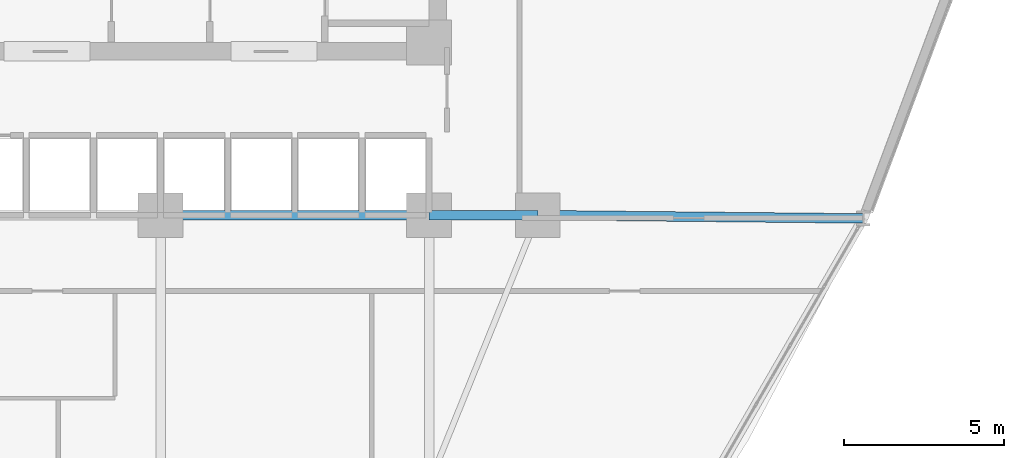
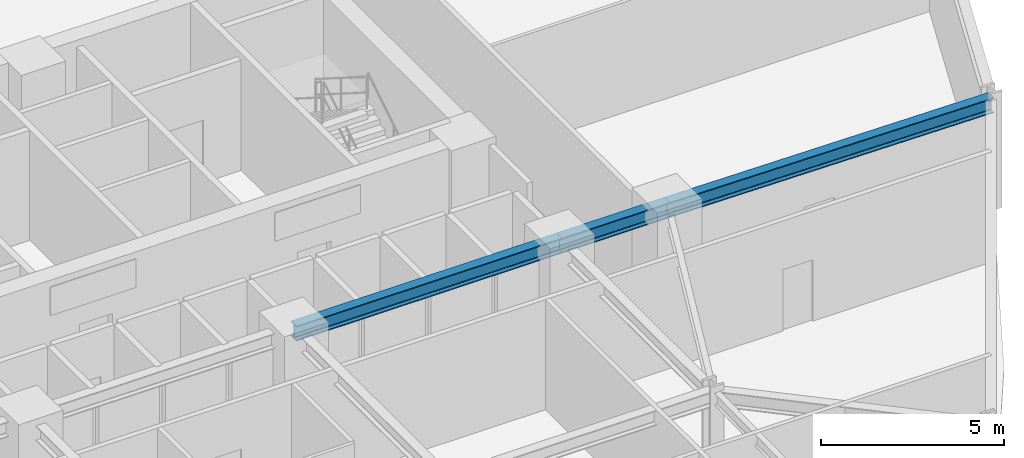
# One storey, part 9 of 22: 3 beams.
"""IFC4 building model written with IfcOpenShell, lengths in metres."""

from ifc_helpers import new_model, si_unit, derived_unit, direction, frame, origin, origin_2d, place, context, subcontext, project, spatial, i_section, extrude, source, transform, mapped, material, material_profile, profile_set, type_object, element, save


model = new_model("IFC4")

# Units and contexts
model_context = context("Model", 3, precision=1e-05, world=origin(), true_north=direction((0.0, 1.0)))
body_context = subcontext(model_context, "Body", "Model", "MODEL_VIEW")
ifc_project = project(units=[si_unit("LENGTHUNIT", "METRE"), si_unit("AREAUNIT", "SQUARE_METRE"), si_unit("VOLUMEUNIT", "CUBIC_METRE"), si_unit("PLANEANGLEUNIT", "RADIAN"), si_unit("MASSUNIT", "GRAM", prefix="KILO"), derived_unit("THERMALTRANSMITTANCEUNIT", [(si_unit("POWERUNIT", "WATT"), 1), (si_unit("LENGTHUNIT", "METRE"), -2), (si_unit("THERMODYNAMICTEMPERATUREUNIT", "KELVIN"), -1)])], contexts=[model_context])

# Site, building, storey
site_placement = place(None, origin())
site = spatial("IfcSite", under=ifc_project, at=site_placement, CompositionType="ELEMENT")
building_placement = place(site_placement, origin())
building = spatial("IfcBuilding", under=site, at=building_placement, Name="Korsvarv Bourse and Concert Hall", CompositionType="ELEMENT")
storey_placement = place(building_placement, frame((0.0, 0.0, 51.300048828125)))
storey = spatial("IfcBuildingStorey", under=building, at=storey_placement, Name="L12", CompositionType="ELEMENT", Elevation=51.300048828125)

# Beams
ifc_material = material(Name="Steel S355", Category="steel")
ifc_material_profile = material_profile(ifc_material, i_section(OverallWidth=0.300048828125, OverallDepth=0.5, WebThickness=0.014404296875, FlangeThickness=0.028076171875, FilletRadius=0.02392578125, at=origin_2d()), Name="HEB 500")
ifc_profile_set = profile_set([ifc_material_profile], Name="Steel S355")
beam_type = type_object("IfcBeamType", Name="BM-HEB500", PredefinedType="BEAM", material=ifc_profile_set)
shared_shape_1 = source(origin(), body_context, "Body", "SweptSolid", [
    extrude(i_section(OverallWidth=0.300048828125, OverallDepth=0.5, WebThickness=0.014404296875, FlangeThickness=0.028076171875, FilletRadius=0.02392578125, at=origin_2d()), origin(), (0.0, 0.0, 1.0), 3.400146484375),
])
beam_1_placement = place(storey_placement, frame((44.39990234375, 32.39990234375, 3.429931640625), z_axis=(1.0, 0.0, 0.0), x_axis=(0.0, 1.0, 0.0)))
element("IfcBeam", 1, at=beam_1_placement, inside=storey, type_object=beam_type, Name="L12 beam B-07", PredefinedType="BEAM", context=body_context, shape_type="MappedRepresentation", body=[
    mapped(shared_shape_1, transform((0.0, 0.0, 0.0), scale=1.0)),
])
shared_shape_2 = source(origin(), body_context, "Body", "SweptSolid", [
    extrude(i_section(OverallWidth=0.300048828125, OverallDepth=0.5, WebThickness=0.014404296875, FlangeThickness=0.028076171875, FilletRadius=0.02392578125, at=origin_2d()), origin(), (0.0, 0.0, 1.0), 8.39990234375),
])
beam_2_placement = place(storey_placement, frame((36.0, 32.39990234375, 3.429931640625), z_axis=(1.0, 0.0, 0.0), x_axis=(0.0, 1.0, 0.0)))
element("IfcBeam", 2, at=beam_2_placement, inside=storey, type_object=beam_type, Name="L12 beam B-07", PredefinedType="BEAM", context=body_context, shape_type="MappedRepresentation", body=[
    mapped(shared_shape_2, transform((0.0, 0.0, 0.0), scale=1.0)),
])
shared_shape_3 = source(origin(), body_context, "Body", "SweptSolid", [
    extrude(i_section(OverallWidth=0.300048828125, OverallDepth=0.5, WebThickness=0.014404296875, FlangeThickness=0.028076171875, FilletRadius=0.02392578125, at=origin_2d()), origin(), (0.0, 0.0, 1.0), 10.18359375),
])
beam_3_placement = place(storey_placement, frame((57.983154296875, 32.297119140625, 3.429931640625), z_axis=(-0.999949064493, 0.010092988639, 0.0), x_axis=(-0.010092988639, -0.999949064493, 0.0)))
element("IfcBeam", 3, at=beam_3_placement, inside=storey, type_object=beam_type, Name="L12 beam B-07", PredefinedType="BEAM", context=body_context, shape_type="MappedRepresentation", body=[
    mapped(shared_shape_3, transform((0.0, 0.0, 0.0), scale=1.0)),
])

save(model, "model.ifc")
